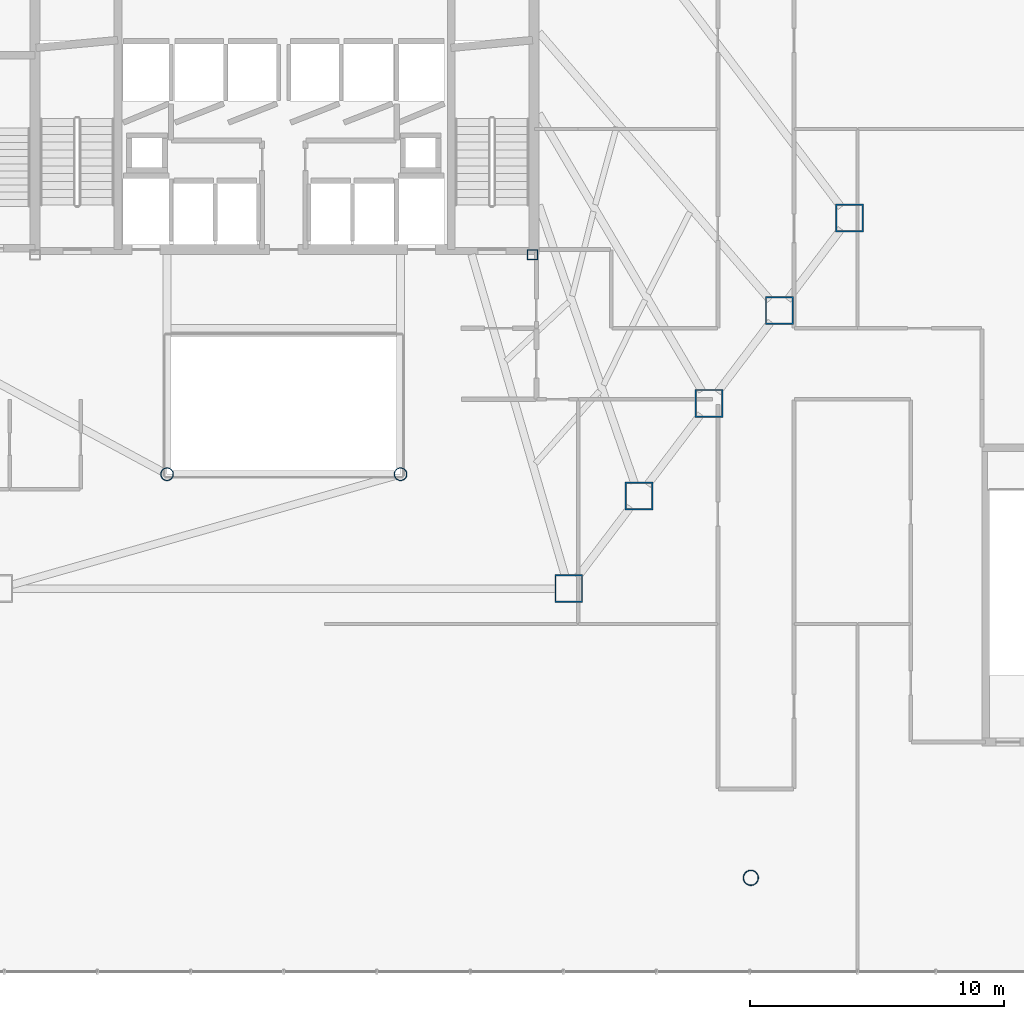
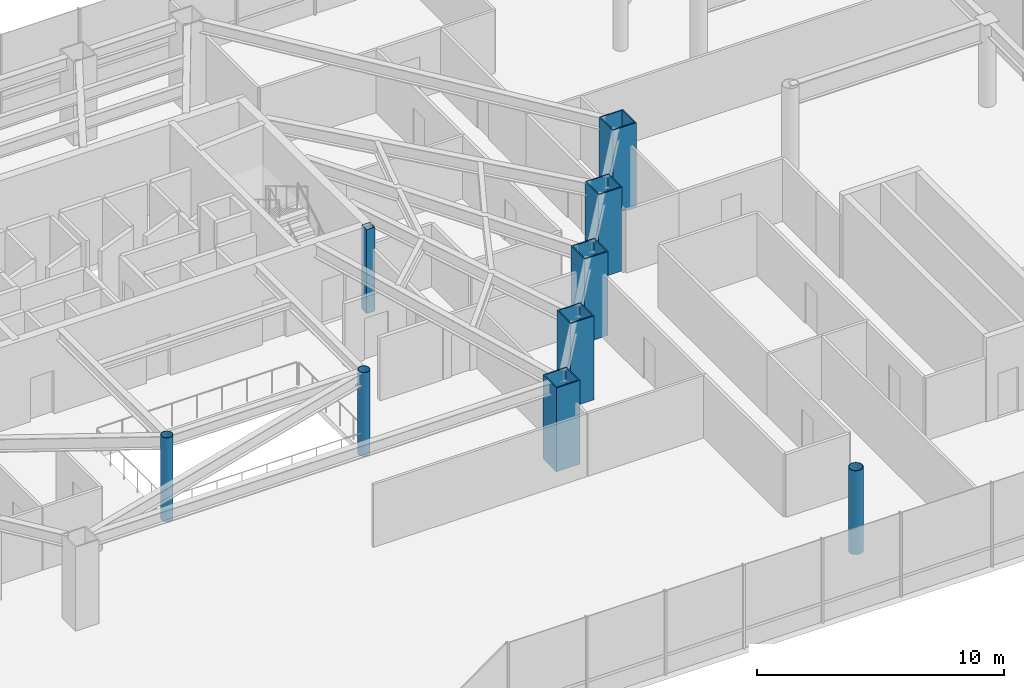
# One storey, part 2 of 43: 9 columns.
"""IFC4 building model written with IfcOpenShell, lengths in metres."""

from ifc_helpers import new_model, si_unit, direction, frame, origin, origin_2d, place, context, subcontext, project, spatial, hollow_rectangle, hollow_circle, extrude, material, material_profile, profile_set, type_object, element, save


model = new_model("IFC4")

# Units and contexts
model_context = context("Model", 3, precision=1e-05, world=origin(), true_north=direction((0.0, 1.0)))
body_context = subcontext(model_context, "Body", "Model", "MODEL_VIEW")
ifc_project = project(units=[si_unit("LENGTHUNIT", "METRE"), si_unit("AREAUNIT", "SQUARE_METRE"), si_unit("VOLUMEUNIT", "CUBIC_METRE"), si_unit("PLANEANGLEUNIT", "RADIAN"), si_unit("MASSUNIT", "GRAM", prefix="KILO")], contexts=[model_context])

# Site, building, storey
site_placement = place(None, origin())
site = spatial("IfcSite", under=ifc_project, at=site_placement, CompositionType="ELEMENT")
building_placement = place(site_placement, origin())
building = spatial("IfcBuilding", under=site, at=building_placement, Name="Zarrinselat Tower", CompositionType="ELEMENT")
storey_placement = place(building_placement, frame((0.0, 0.0, 5.10009765625)))
storey = spatial("IfcBuildingStorey", under=building, at=storey_placement, Name="L01", CompositionType="ELEMENT", Elevation=5.10009765625)

# Columns
ifc_material_1 = material(Name="Steel S355J2", Category="steel")
ifc_material_profile_1 = material_profile(ifc_material_1, hollow_circle(Radius=0.25390625, WallThickness=0.02001953125, at=origin_2d()), Name="CHS 508x20")
ifc_profile_set_1 = profile_set([ifc_material_profile_1], Name="Steel S355J2")
column_type_1 = type_object("IfcColumnType", Name="COL-CHS508", PredefinedType="COLUMN", material=ifc_profile_set_1)
for number, where, z_axis, x_axis, name in (
    (1, (33.800048828125, 24.39990234375, 0.0), (0.0, 0.0, 1.0), (1.0, 0.0, 0.0), "L01 Atrium Corner Column 1"),
    (2, (43.0, 24.39990234375, 0.0), (0.0, 0.0, 1.0), (1.0, 0.0, 0.0), "L01 Atrium Corner Column 2"),
):
    element("IfcColumn", number, at=place(storey_placement, frame(where, z_axis=z_axis, x_axis=x_axis)), inside=storey, type_object=column_type_1, Name=name, PredefinedType="COLUMN", context=body_context, shape_type="SweptSolid", body=[
        extrude(hollow_circle(Radius=0.25390625, WallThickness=0.02001953125, at=origin_2d()), origin(), (0.0, 0.0, 1.0), 4.139892578125),
    ])
ifc_material_2 = material(Name="Steel S355J2", Category="steel")
ifc_material_profile_2 = material_profile(ifc_material_2, hollow_circle(Radius=0.304931640625, WallThickness=0.02490234375, at=origin_2d()), Name="CHS 610x25")
ifc_profile_set_2 = profile_set([ifc_material_profile_2], Name="Steel S355J2")
column_type_2 = type_object("IfcColumnType", Name="COL-CHS610", PredefinedType="COLUMN", material=ifc_profile_set_2)
column_1_placement = place(storey_placement, frame((56.800048828125, 8.5, 0.0), z_axis=(0.0, 0.0, 1.0), x_axis=(1.0, 0.0, 0.0)))
element("IfcColumn", 3, at=column_1_placement, inside=storey, type_object=column_type_2, Name="L01 Garden Deck Support Column 2", PredefinedType="COLUMN", context=body_context, shape_type="SweptSolid", body=[
    extrude(hollow_circle(Radius=0.304931640625, WallThickness=0.02490234375, at=origin_2d()), origin(), (0.0, 0.0, 1.0), 4.139892578125),
])
ifc_material_3 = material(Name="Steel S460M", Category="steel")
ifc_material_profile_3 = material_profile(ifc_material_3, hollow_rectangle(XDim=1.10009765625, YDim=1.10009765625, WallThickness=0.054931640625, at=origin_2d()), Name="SHS 1100x1100x55")
ifc_profile_set_3 = profile_set([ifc_material_profile_3], Name="Steel S460M")
column_type_3 = type_object("IfcColumnType", Name="COL-SHS1100", PredefinedType="COLUMN", material=ifc_profile_set_3)
for number, where, z_axis, x_axis, name in (
    (4, (49.626953125, 19.89599609375, 0.0), (0.0, 0.0, 1.0), (1.0, 0.0, 0.0), "L01 Framed-Tube Column T11"),
    (5, (52.391357421875, 23.544921875, 0.0), (0.0, 0.0, 1.0), (1.0, 0.0, 0.0), "L01 Framed-Tube Column T12"),
    (6, (55.15576171875, 27.194091796875, 0.0), (0.0, 0.0, 1.0), (1.0, 0.0, 0.0), "L01 Framed-Tube Column T13"),
    (7, (57.920166015625, 30.843017578125, 0.0), (0.0, 0.0, 1.0), (1.0, 0.0, 0.0), "L01 Framed-Tube Column T14"),
    (8, (60.6845703125, 34.491943359375, 0.0), (0.0, 0.0, 1.0), (1.0, 0.0, 0.0), "L01 Framed-Tube Column T15"),
):
    element("IfcColumn", number, at=place(storey_placement, frame(where, z_axis=z_axis, x_axis=x_axis)), inside=storey, type_object=column_type_3, Name=name, PredefinedType="COLUMN", context=body_context, shape_type="SweptSolid", body=[
        extrude(hollow_rectangle(XDim=1.10009765625, YDim=1.10009765625, WallThickness=0.054931640625, at=origin_2d()), origin(), (0.0, 0.0, 1.0), 4.139892578125),
    ])
ifc_material_4 = material(Name="Steel S355J2", Category="steel")
ifc_material_profile_4 = material_profile(ifc_material_4, hollow_rectangle(XDim=0.39990234375, YDim=0.39990234375, WallThickness=0.02001953125, at=origin_2d()), Name="SHS 400x400x20")
ifc_profile_set_4 = profile_set([ifc_material_profile_4], Name="Steel S355J2")
column_type_4 = type_object("IfcColumnType", Name="COL-SHS400", PredefinedType="PILASTER", material=ifc_profile_set_4)
column_2_placement = place(storey_placement, frame((48.199951171875, 33.050048828125, 0.0), z_axis=(0.0, 0.0, 1.0), x_axis=(1.0, 0.0, 0.0)))
element("IfcColumn", 9, at=column_2_placement, inside=storey, type_object=column_type_4, Name="L01 Gallery Structural Pilaster 2", PredefinedType="PILASTER", context=body_context, shape_type="SweptSolid", body=[
    extrude(hollow_rectangle(XDim=0.39990234375, YDim=0.39990234375, WallThickness=0.02001953125, at=origin_2d()), origin(), (0.0, 0.0, 1.0), 4.139892578125),
])

save(model, "model.ifc")
